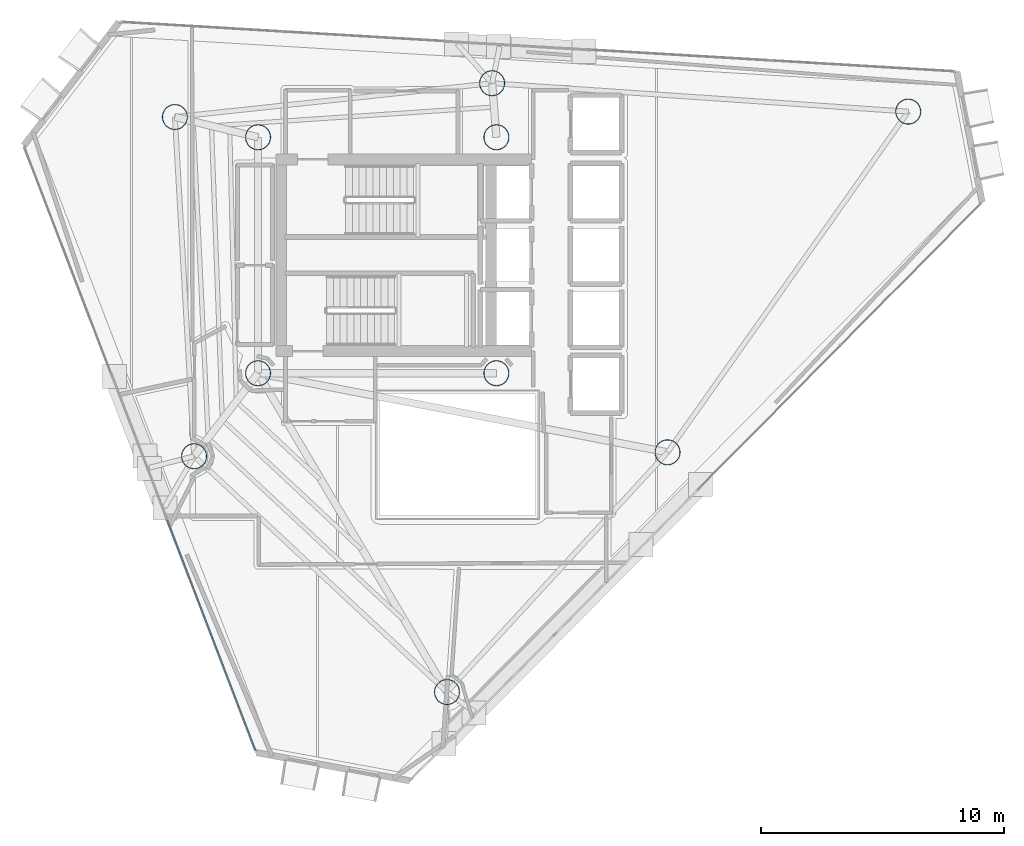
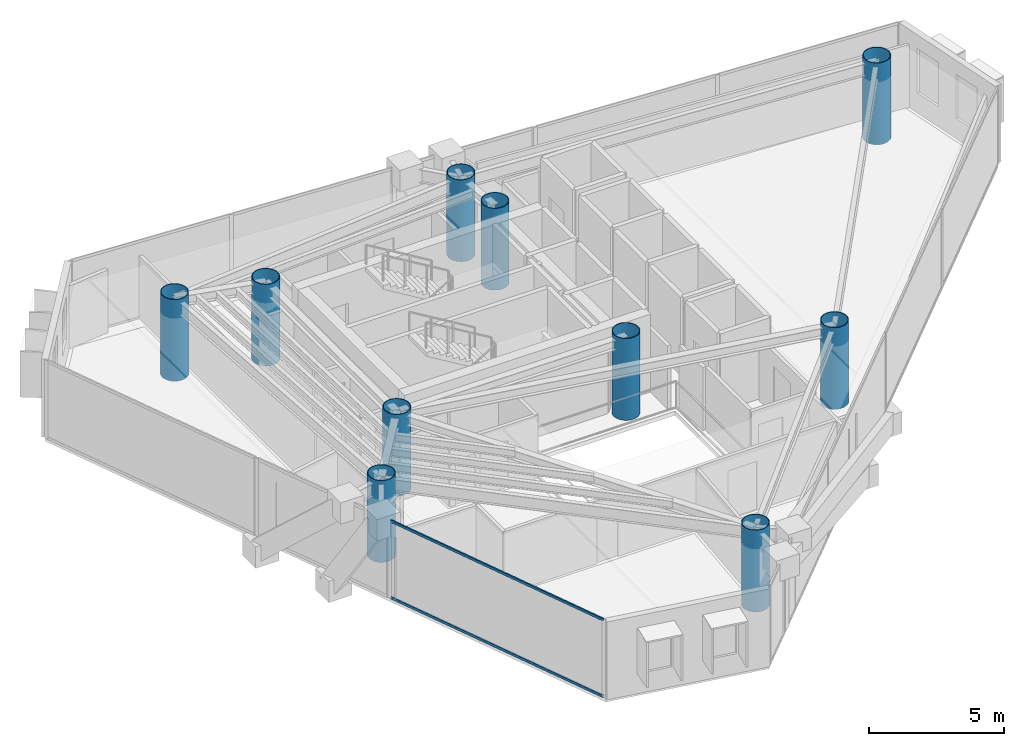
# One storey, part 1 of 20: 10 columns, 2 members, 1 element without a shape of its own.
"""IFC4 building model written with IfcOpenShell, lengths in metres."""

from ifc_helpers import new_model, si_unit, direction, frame, origin, origin_2d, place, context, subcontext, project, spatial, hollow_rectangle, hollow_circle, extrude, material, layer, layer_set, material_profile, profile_set, type_object, element, aggregate, save


model = new_model("IFC4")

# Units and contexts
model_context = context("Model", 3, precision=1e-05, world=origin(), true_north=direction((0.0, 1.0)))
body_context = subcontext(model_context, "Body", "Model", "MODEL_VIEW")
ifc_project = project(units=[si_unit("LENGTHUNIT", "METRE"), si_unit("AREAUNIT", "SQUARE_METRE"), si_unit("VOLUMEUNIT", "CUBIC_METRE"), si_unit("PLANEANGLEUNIT", "RADIAN"), si_unit("MASSUNIT", "GRAM", prefix="KILO")], contexts=[model_context])

# Site, building, storey
site_placement = place(None, origin())
site = spatial("IfcSite", under=ifc_project, at=site_placement, CompositionType="ELEMENT")
building_placement = place(site_placement, origin())
building = spatial("IfcBuilding", under=site, at=building_placement, Name="Qianvela Tower", CompositionType="ELEMENT")
storey_placement = place(building_placement, frame((0.0, 0.0, 239.0)))
storey = spatial("IfcBuildingStorey", under=building, at=storey_placement, Name="L61", CompositionType="ELEMENT", Elevation=239.0)

# Columns
ifc_material_1 = material(Name="Steel Q420GJC", Category="steel")
ifc_material_profile_1 = material_profile(ifc_material_1, hollow_circle(Radius=0.52490234375, WallThickness=0.028076171875, at=origin_2d()), Name="CFT-1050x28")
ifc_profile_set_1 = profile_set([ifc_material_profile_1], Name="Steel Q420GJC")
column_type = type_object("IfcColumnType", Name="COL-CFT-1050x28", PredefinedType="COLUMN", material=ifc_profile_set_1)
for number, where, z_axis, x_axis, name in (
    (1, (28.60009765625, 33.550048828125, 0.0), (0.0, 0.0, 1.0), (1.0, 0.0, 0.0), "L61 Core Corner Mega-Column CC-NW"),
    (2, (28.60009765625, 23.85009765625, 0.0), (0.0, 0.0, 1.0), (1.0, 0.0, 0.0), "L61 Core Corner Mega-Column CC-SW"),
    (3, (38.39990234375, 33.550048828125, 0.0), (0.0, 0.0, 1.0), (1.0, 0.0, 0.0), "L61 Core Corner Mega-Column CC-NE"),
    (4, (38.39990234375, 23.85009765625, 0.0), (0.0, 0.0, 1.0), (1.0, 0.0, 0.0), "L61 Core Corner Mega-Column CC-SE"),
    (5, (55.33203125, 34.60498046875, 0.0), (0.0, 0.0, 1.0), (1.0, 0.0, 0.0), "L61 Zone Z6 CFT Mega-Column C1"),
    (6, (38.22509765625, 35.77294921875, 0.0), (0.0, 0.0, 1.0), (1.0, 0.0, 0.0), "L61 Zone Z6 CFT Mega-Column C2"),
    (7, (25.181884765625, 34.384033203125, 0.0), (0.0, 0.0, 1.0), (1.0, 0.0, 0.0), "L61 Zone Z6 CFT Mega-Column C3"),
    (8, (25.971923828125, 20.43701171875, 0.0), (0.0, 0.0, 1.0), (1.0, 0.0, 0.0), "L61 Zone Z6 CFT Mega-Column C4"),
    (9, (36.368896484375, 10.741943359375, 0.0), (0.0, 0.0, 1.0), (1.0, 0.0, 0.0), "L61 Zone Z6 CFT Mega-Column C5"),
    (10, (45.43603515625, 20.597900390625, 0.0), (0.0, 0.0, 1.0), (1.0, 0.0, 0.0), "L61 Zone Z6 CFT Mega-Column C6"),
):
    element("IfcColumn", number, at=place(storey_placement, frame(where, z_axis=z_axis, x_axis=x_axis)), inside=storey, type_object=column_type, Name=name, PredefinedType="COLUMN", context=body_context, shape_type="SweptSolid", body=[
        extrude(hollow_circle(Radius=0.52490234375, WallThickness=0.028076171875, at=origin_2d()), origin(), (0.0, 0.0, 1.0), 3.699951171875),
    ])

# Curtain wall, members
ifc_material_2 = material(Name="Anodised Architectural Aluminium and Low-E Glass", Category="aluminium")
ifc_layer = layer(ifc_material_2, 0.159912109375)
ifc_layer_set = layer_set([ifc_layer], Name="Anodised Architectural Aluminium and Low-E Glass")
curtain_wall_type = type_object("IfcCurtainWallType", Name="CW-COLIV-Z56", PredefinedType="USERDEFINED", material=ifc_layer_set)
curtain_wall_placement = place(storey_placement, origin())
curtain_wall = element("IfcCurtainWall", 11, at=curtain_wall_placement, inside=storey, type_object=curtain_wall_type, Name="L61 CW-COLIV-Z56 Curtain Wall 04C", ObjectType="CURTAIN_WALL_SYSTEM", PredefinedType="USERDEFINED")
ifc_material_3 = material(Name="Anodised Architectural Aluminium 6063-T6", Category="aluminium")
ifc_material_profile_2 = material_profile(ifc_material_3, hollow_rectangle(XDim=0.06005859375, YDim=0.114990234375, WallThickness=0.00390625, at=origin_2d()), Name="ALU-TRAN-60x115")
ifc_profile_set_2 = profile_set([ifc_material_profile_2], Name="Anodised Architectural Aluminium 6063-T6")
member_type = type_object("IfcMemberType", Name="CW-COLIV-Z56-TRAN", PredefinedType="USERDEFINED", material=ifc_profile_set_2)
member_1_placement = place(storey_placement, frame((24.86865234375, 17.8173828125, 0.030029296875), z_axis=(0.357714761865, -0.933830899652, 0.0), x_axis=(0.933830899652, 0.357714761865, 0.0)))
member_1 = element("IfcMember", 12, at=member_1_placement, type_object=member_type, Name="CW-5 transom 1.1", ObjectType="TRANSOM", PredefinedType="USERDEFINED", context=body_context, shape_type="SweptSolid", body=[
    extrude(hollow_rectangle(XDim=0.06005859375, YDim=0.114990234375, WallThickness=0.00390625, at=origin_2d()), origin(), (0.0, 0.0, 1.0), 10.134521484375),
])
member_2_placement = place(storey_placement, frame((24.86865234375, 17.8173828125, 3.489990234375), z_axis=(0.357714761865, -0.933830899652, 0.0), x_axis=(0.933830899652, 0.357714761865, 0.0)))
member_2 = element("IfcMember", 13, at=member_2_placement, type_object=member_type, Name="CW-5 transom 1.2", ObjectType="TRANSOM", PredefinedType="USERDEFINED", context=body_context, shape_type="SweptSolid", body=[
    extrude(hollow_rectangle(XDim=0.06005859375, YDim=0.114990234375, WallThickness=0.00390625, at=origin_2d()), origin(), (0.0, 0.0, 1.0), 10.134521484375),
])
aggregate(curtain_wall, [member_1, member_2])

save(model, "model.ifc")
